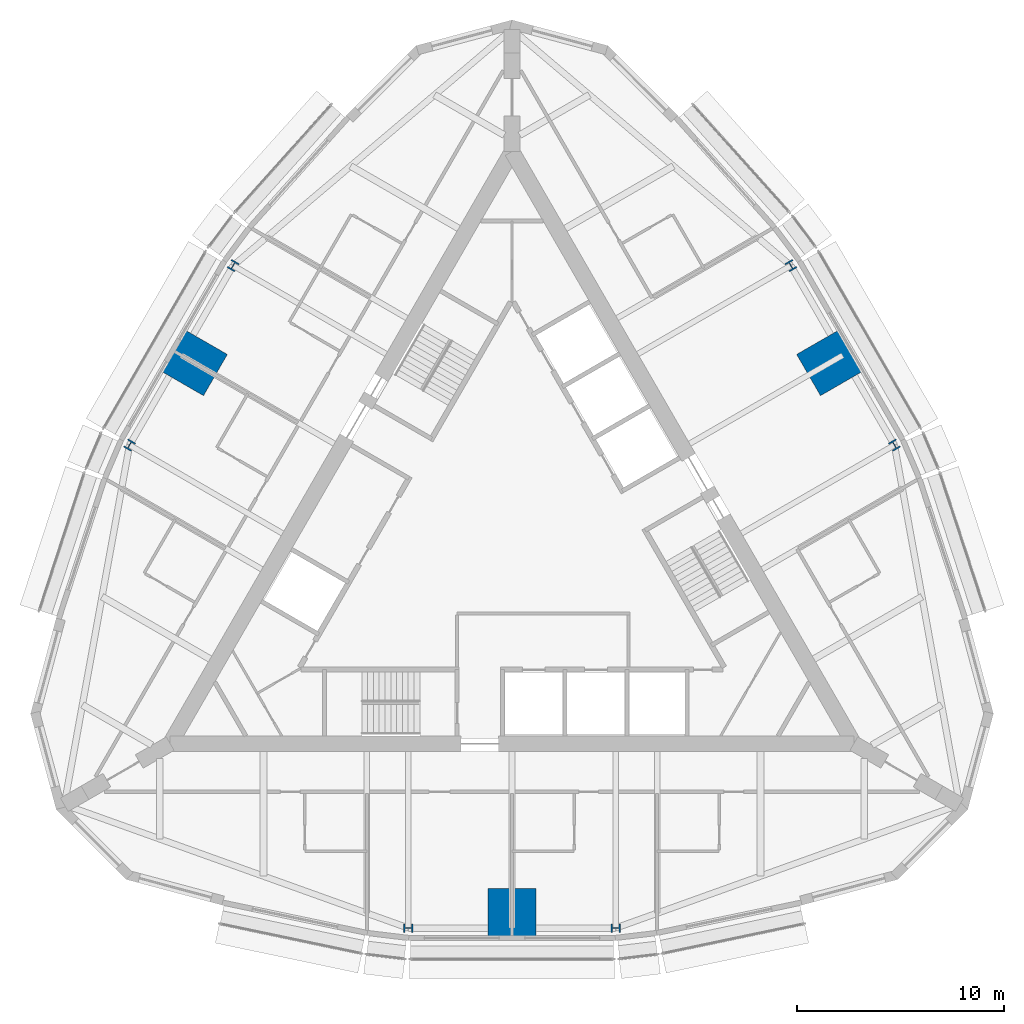
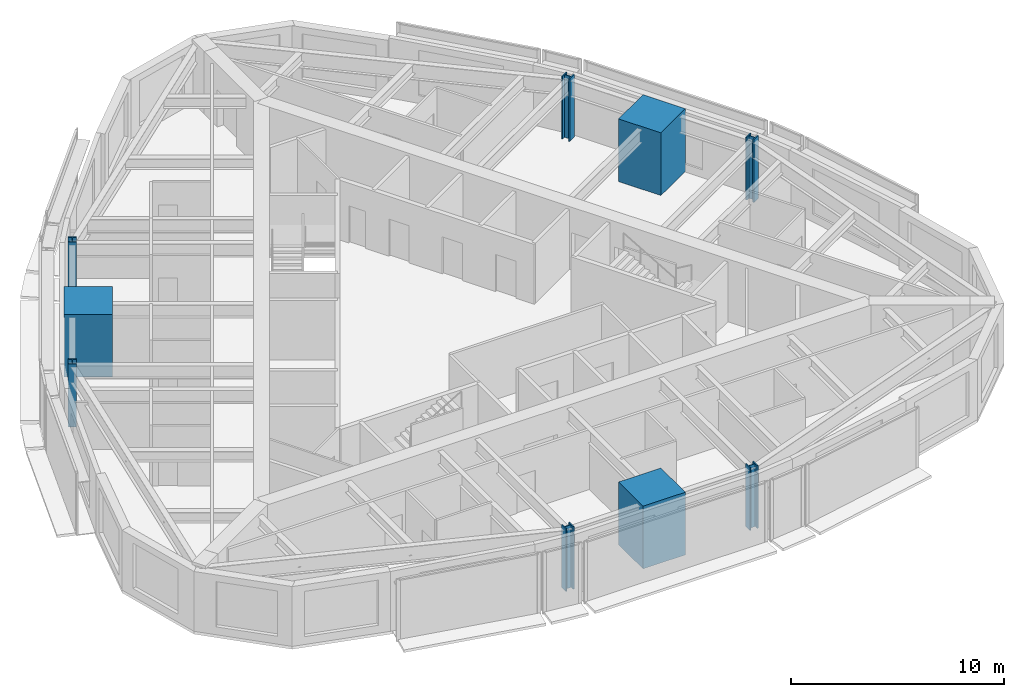
# One storey, part 1 of 12: 9 columns.
"""IFC4 building model written with IfcOpenShell, lengths in metres."""

from ifc_helpers import new_model, si_unit, direction, frame, origin, origin_2d, place, context, subcontext, project, spatial, rectangle, i_section, extrude, material, material_profile, profile_set, type_object, element, save


model = new_model("IFC4")

# Units and contexts
model_context = context("Model", 3, precision=1e-05, world=origin(), true_north=direction((0.0, 1.0)))
body_context = subcontext(model_context, "Body", "Model", "MODEL_VIEW")
ifc_project = project(units=[si_unit("LENGTHUNIT", "METRE"), si_unit("AREAUNIT", "SQUARE_METRE"), si_unit("VOLUMEUNIT", "CUBIC_METRE"), si_unit("PLANEANGLEUNIT", "RADIAN"), si_unit("MASSUNIT", "GRAM", prefix="KILO")], contexts=[model_context])

# Site, building, storey
site_placement = place(None, origin())
site = spatial("IfcSite", under=ifc_project, at=site_placement, CompositionType="ELEMENT")
building_placement = place(site_placement, origin())
building = spatial("IfcBuilding", under=site, at=building_placement, Name="Trikona Tower", CompositionType="ELEMENT")
storey_placement = place(building_placement, frame((0.0, 0.0, 242.89990234375)))
storey = spatial("IfcBuildingStorey", under=building, at=storey_placement, Name="L64", CompositionType="ELEMENT", Elevation=242.89990234375)

# Columns
ifc_material_1 = material(Name="Concrete f'c 10000 psi with encased steel section", Category="concrete")
ifc_material_profile_1 = material_profile(ifc_material_1, rectangle(XDim=2.300048828125, YDim=2.300048828125, at=origin_2d()), Name="MC2300")
ifc_profile_set_1 = profile_set([ifc_material_profile_1], Name="Concrete f'c 10000 psi with encased steel section")
column_type_1 = type_object("IfcColumnType", Name="Composite mega column 2300x2300", PredefinedType="COLUMN", material=ifc_profile_set_1)
for number, where, z_axis, x_axis, name in (
    (1, (0.0, -17.680419921875, 0.0), (0.0, 0.0, 1.0), (0.0, -1.0, 0.0), "Mega column MC1"),
    (2, (15.311767578125, 8.84033203125, 0.0), (0.0, 0.0, 1.0), (0.866025403784, 0.5, 0.0), "Mega column MC2"),
    (3, (-15.311767578125, 8.84033203125, 0.0), (0.0, 0.0, 1.0), (-0.866025403784, 0.5, 0.0), "Mega column MC3"),
):
    element("IfcColumn", number, at=place(storey_placement, frame(where, z_axis=z_axis, x_axis=x_axis)), inside=storey, type_object=column_type_1, Name=name, PredefinedType="COLUMN", context=body_context, shape_type="SweptSolid", body=[
        extrude(rectangle(XDim=2.300048828125, YDim=2.300048828125, at=origin_2d()), origin(), (0.0, 0.0, 1.0), 3.60009765625),
    ])
ifc_material_2 = material(Name="Steel ASTM A992 Grade 50", Category="steel")
ifc_material_profile_2 = material_profile(ifc_material_2, i_section(OverallWidth=0.419189453125, OverallDepth=0.45458984375, WebThickness=0.042236328125, FlangeThickness=0.067626953125, at=origin_2d()), Name="W14X370")
ifc_profile_set_2 = profile_set([ifc_material_profile_2], Name="Steel ASTM A992 Grade 50")
column_type_2 = type_object("IfcColumnType", Name="Steel column W14x370", PredefinedType="COLUMN", material=ifc_profile_set_2)
for number, where, z_axis, x_axis, name in (
    (4, (-5.0, -18.430419921875, 0.0), (0.0, 0.0, 1.0), (0.0, -1.0, 0.0), "Column F0m5"),
    (5, (5.0, -18.430419921875, 0.0), (0.0, 0.0, 1.0), (0.0, -1.0, 0.0), "Column F0p5"),
    (6, (18.461181640625, 4.885009765625, 0.0), (0.0, 0.0, 1.0), (0.866025403784, 0.5, 0.0), "Column F1m5"),
    (7, (13.461181640625, 13.54541015625, 0.0), (0.0, 0.0, 1.0), (0.866025403784, 0.5, 0.0), "Column F1p5"),
    (8, (-13.461181640625, 13.54541015625, 0.0), (0.0, 0.0, 1.0), (-0.866025403784, 0.5, 0.0), "Column F2m5"),
    (9, (-18.461181640625, 4.885009765625, 0.0), (0.0, 0.0, 1.0), (-0.866025403784, 0.5, 0.0), "Column F2p5"),
):
    element("IfcColumn", number, at=place(storey_placement, frame(where, z_axis=z_axis, x_axis=x_axis)), inside=storey, type_object=column_type_2, Name=name, PredefinedType="COLUMN", context=body_context, shape_type="SweptSolid", body=[
        extrude(i_section(OverallWidth=0.419189453125, OverallDepth=0.45458984375, WebThickness=0.042236328125, FlangeThickness=0.067626953125, at=origin_2d()), origin(), (0.0, 0.0, 1.0), 3.60009765625),
    ])

save(model, "model.ifc")
